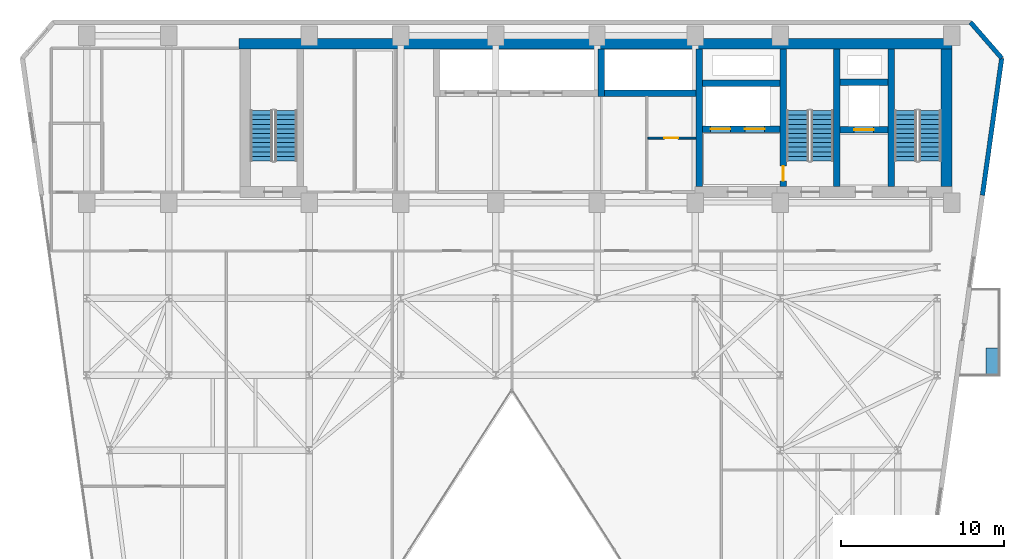
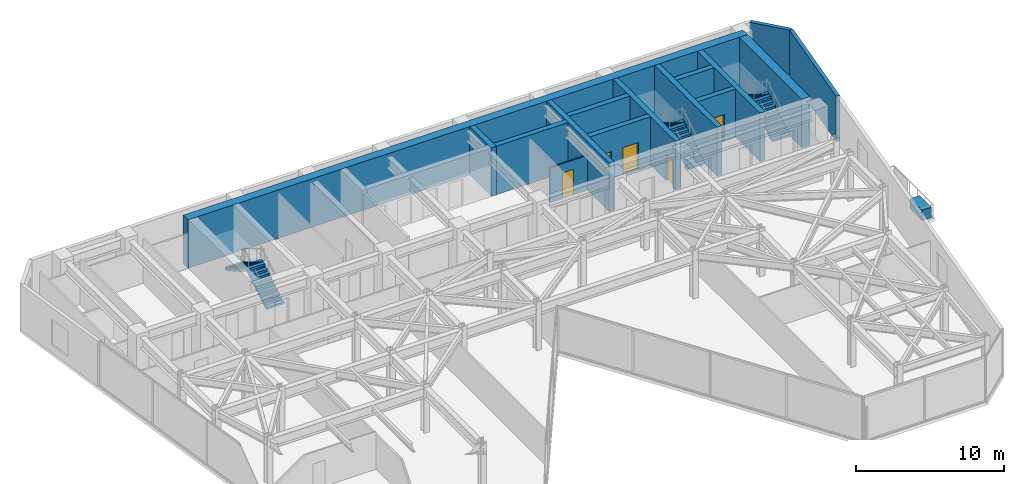
# One storey, part 23 of 26: 15 walls, 6 stair flights, 5 doors, 1 discrete accessory, 5 openings, 3 elements without a shape of their own.
"""IFC4 building model written with IfcOpenShell, lengths in metres."""

from ifc_helpers import new_model, si_unit, direction, frame, frame_2d, origin, origin_2d, place, context, subcontext, project, spatial, polyline, rectangle, outline, extrude, material, layer, layer_set, type_object, element, fill, aggregate, save


model = new_model("IFC4")

# Units and contexts
model_context = context("Model", 3, precision=1e-05, world=origin(), true_north=direction((0.0, 1.0)))
body_context = subcontext(model_context, "Body", "Model", "MODEL_VIEW")
ifc_project = project(units=[si_unit("LENGTHUNIT", "METRE"), si_unit("AREAUNIT", "SQUARE_METRE"), si_unit("VOLUMEUNIT", "CUBIC_METRE"), si_unit("PLANEANGLEUNIT", "RADIAN"), si_unit("MASSUNIT", "GRAM", prefix="KILO")], contexts=[model_context])

# Site, building, storey
site_placement = place(None, origin())
site = spatial("IfcSite", under=ifc_project, at=site_placement, CompositionType="ELEMENT")
building_placement = place(site_placement, origin())
building = spatial("IfcBuilding", under=site, at=building_placement, Name="Kravanh Interchange Tower", CompositionType="ELEMENT")
storey_placement = place(building_placement, frame((0.0, 0.0, 152.0)))
storey = spatial("IfcBuildingStorey", under=building, at=storey_placement, Name="L36", CompositionType="ELEMENT", Elevation=152.0)

# Wall, opening, door
ifc_material_1 = material(Name="Double Acoustic Gypsum Board and Mineral Wool")
ifc_layer_1 = layer(ifc_material_1, 0.1201171875)
ifc_layer_set_1 = layer_set([ifc_layer_1], Name="Acoustic Office Drywall Partition 120mm")
wall_type_1 = type_object("IfcWallType", Name="Acoustic Office Drywall Partition 120mm", PredefinedType="PARTITIONING", material=ifc_layer_set_1)
wall_1_placement = place(storey_placement, frame((47.91796875, 41.300048828125, 0.0), z_axis=(0.0, 0.0, 1.0), x_axis=(1.0, 0.0, 0.0)))
wall_1 = element("IfcWall", 1, at=wall_1_placement, inside=storey, type_object=wall_type_1, Name="L36 Interior Partition 3", PredefinedType="PARTITIONING", context=body_context, shape_type="SweptSolid", body=[
    extrude(rectangle(XDim=2.924072265625, YDim=0.1201171875, at=frame_2d((1.4619140625, 0.0))), origin(), (0.0, 0.0, 1.0), 2.864013671875),
])
opening_1_placement = place(wall_1_placement, frame((0.9912109375, 0.0, 0.0)))
opening_1 = element("IfcOpeningElement", 2, at=opening_1_placement, cuts=wall_1, Name="Opening D-85", PredefinedType="OPENING", context=body_context, shape_type="SweptSolid", body=[
    extrude(rectangle(XDim=0.85009765625, YDim=2.10009765625, at=frame_2d((0.425048828125, 1.050048828125))), frame((0.0, 0.070068359375, 0.0), z_axis=(0.0, -1.0, 0.0), x_axis=(1.0, 0.0, 0.0)), (0.0, 0.0, 1.0), 0.14013671875),
])
ifc_material_2 = material(Name="Engineered Teak Veneer Timber", Category="wood")
door_type_1 = type_object("IfcDoorType", Name="En-Suite Timber Door 850x2100", OperationType="NOTDEFINED", PredefinedType="DOOR", material=ifc_material_2)
door_1_placement = place(opening_1_placement, origin())
door_1 = element("IfcDoor", 3, at=door_1_placement, inside=storey, type_object=door_type_1, Name="L36 Core Supply Inner Door", OperationType="SINGLE_SWING_RIGHT", OverallHeight=2.10009765625, OverallWidth=0.85009765625, PredefinedType="DOOR", context=body_context, shape_type="SweptSolid", body=[
    extrude(rectangle(XDim=0.85009765625, YDim=2.10009765625, at=frame_2d((0.425048828125, 1.050048828125))), frame((0.0, 0.02490234375, 0.0), z_axis=(0.0, -1.0, 0.0), x_axis=(1.0, 0.0, 0.0)), (0.0, 0.0, 1.0), 0.050048828125),
])
fill(opening_1, door_1)

# Walls
ifc_material_3 = material(Name="Concrete C70/85", Category="concrete")
ifc_layer_2 = layer(ifc_material_3, 0.64990234375)
ifc_layer_set_2 = layer_set([ifc_layer_2], Name="Core Shear Wall Concrete C70/85 650mm")
wall_type_2 = type_object("IfcWallType", Name="Core Shear Wall Concrete C70/85 650mm", PredefinedType="SHEAR", material=ifc_layer_set_2)
wall_2_placement = place(storey_placement, frame((22.89990234375, 47.074951171875, 0.0), z_axis=(0.0, 0.0, 1.0), x_axis=(1.0, 0.0, 0.0)))
element("IfcWall", 4, at=wall_2_placement, inside=storey, type_object=wall_type_2, Name="L36 North Core Shear Wall", PredefinedType="SHEAR", context=body_context, shape_type="SweptSolid", body=[
    extrude(rectangle(XDim=43.60009765625, YDim=0.64990234375, at=frame_2d((21.800048828125, 0.0))), origin(), (0.0, 0.0, 1.0), 4.0),
])
wall_3_placement = place(storey_placement, frame((66.175048828125, 38.324951171875, 0.0), z_axis=(0.0, 0.0, 1.0), x_axis=(0.0, 1.0, 0.0)))
element("IfcWall", 5, at=wall_3_placement, inside=storey, type_object=wall_type_2, Name="L36 Stair ST1 East Shear Wall", PredefinedType="SHEAR", context=body_context, shape_type="SweptSolid", body=[
    extrude(rectangle(XDim=8.425048828125, YDim=0.64990234375, at=frame_2d((4.21240234375, 0.0))), origin(), (0.0, 0.0, 1.0), 4.0),
])
ifc_material_4 = material(Name="Concrete C80/95", Category="concrete")
ifc_layer_3 = layer(ifc_material_4, 0.39990234375)
ifc_layer_set_3 = layer_set([ifc_layer_3], Name="Core Shear Wall Concrete C80/95 400mm")
wall_type_3 = type_object("IfcWallType", Name="Core Shear Wall Concrete C80/95 400mm", PredefinedType="SHEAR", material=ifc_layer_set_3)
for number, where, z_axis, x_axis, name in (
    (6, (62.800048828125, 38.324951171875, 0.0), (0.0, 0.0, 1.0), (0.0, 1.0, 0.0), "L36 Stair ST1 West Shear Wall"),
    (7, (59.449951171875, 38.324951171875, 0.0), (0.0, 0.0, 1.0), (0.0, 1.0, 0.0), "L36 Stair ST2 East Shear Wall"),
):
    element("IfcWall", number, at=place(storey_placement, frame(where, z_axis=z_axis, x_axis=x_axis)), inside=storey, type_object=wall_type_3, Name=name, PredefinedType="SHEAR", context=body_context, shape_type="SweptSolid", body=[
        extrude(rectangle(XDim=8.425048828125, YDim=0.39990234375, at=frame_2d((4.21240234375, 0.0))), origin(), (0.0, 0.0, 1.0), 4.0),
    ])

# Wall, opening, door
wall_4_placement = place(storey_placement, frame((56.199951171875, 38.324951171875, 0.0), z_axis=(0.0, 0.0, 1.0), x_axis=(0.0, 1.0, 0.0)))
wall_4 = element("IfcWall", 8, at=wall_4_placement, inside=storey, type_object=wall_type_3, Name="L36 Stair ST2 West Shear Wall", PredefinedType="SHEAR", context=body_context, shape_type="SweptSolid", body=[
    extrude(rectangle(XDim=8.425048828125, YDim=0.39990234375, at=frame_2d((4.21240234375, 0.0))), origin(), (0.0, 0.0, 1.0), 4.0),
])
opening_2_placement = place(wall_4_placement, frame((0.35498046875, 0.0, 0.0)))
opening_2 = element("IfcOpeningElement", 9, at=opening_2_placement, cuts=wall_4, Name="Opening D-STAIR-90", PredefinedType="OPENING", context=body_context, shape_type="SweptSolid", body=[
    extrude(rectangle(XDim=0.89990234375, YDim=2.14990234375, at=frame_2d((0.449951171875, 1.074951171875))), frame((0.0, 0.2099609375, 0.0), z_axis=(0.0, -1.0, 0.0), x_axis=(1.0, 0.0, 0.0)), (0.0, 0.0, 1.0), 0.419921875),
])
ifc_material_5 = material(Name="Structural Steel S355", Category="steel")
door_type_2 = type_object("IfcDoorType", Name="Fire-Rated Stair Lobby Door 900x2150", OperationType="NOTDEFINED", PredefinedType="DOOR", material=ifc_material_5)
door_2_placement = place(opening_2_placement, origin())
door_2 = element("IfcDoor", 10, at=door_2_placement, inside=storey, type_object=door_type_2, Name="L36 Firefighting Lobby to Stair ST2 Door", OperationType="SINGLE_SWING_LEFT", OverallHeight=2.14990234375, OverallWidth=0.89990234375, PredefinedType="DOOR", context=body_context, shape_type="SweptSolid", body=[
    extrude(rectangle(XDim=0.89990234375, YDim=2.14990234375, at=frame_2d((0.449951171875, 1.074951171875))), frame((0.0, 0.02490234375, 0.0), z_axis=(0.0, -1.0, 0.0), x_axis=(1.0, 0.0, 0.0)), (0.0, 0.0, 1.0), 0.050048828125),
])
fill(opening_2, door_2)

wall_5_placement = place(storey_placement, frame((59.64990234375, 41.800048828125, 0.0), z_axis=(0.0, 0.0, 1.0), x_axis=(1.0, 0.0, 0.0)))
wall_5 = element("IfcWall", 11, at=wall_5_placement, inside=storey, type_object=wall_type_3, Name="L36 Service Lift Shaft South Wall", PredefinedType="SHEAR", context=body_context, shape_type="SweptSolid", body=[
    extrude(rectangle(XDim=2.9501953125, YDim=0.39990234375, at=frame_2d((1.47509765625, 0.0))), origin(), (0.0, 0.0, 1.0), 4.0),
])
opening_3_placement = place(wall_5_placement, frame((0.8701171875, 0.0, 0.0)))
opening_3 = element("IfcOpeningElement", 12, at=opening_3_placement, cuts=wall_5, Name="Opening LD02", PredefinedType="OPENING", context=body_context, shape_type="SweptSolid", body=[
    extrude(rectangle(XDim=1.199951171875, YDim=2.199951171875, at=frame_2d((0.60009765625, 1.10009765625))), frame((0.0, 0.2099609375, 0.0), z_axis=(0.0, -1.0, 0.0), x_axis=(1.0, 0.0, 0.0)), (0.0, 0.0, 1.0), 0.419921875),
])
ifc_material_6 = material(Name="Stainless Steel 316", Category="steel")
door_type_3 = type_object("IfcDoorType", Name="Fire and Service Lift Sliding Landing Door 1200x2200", OperationType="DOUBLE_DOOR_SLIDING", PredefinedType="DOOR", material=ifc_material_6)
door_3_placement = place(opening_3_placement, origin())
door_3 = element("IfcDoor", 13, at=door_3_placement, inside=storey, type_object=door_type_3, Name="L36 Lift LS-01 Landing Door", OperationType="DOUBLE_DOOR_SLIDING", OverallHeight=2.199951171875, OverallWidth=1.199951171875, PredefinedType="DOOR", context=body_context, shape_type="SweptSolid", body=[
    extrude(rectangle(XDim=1.199951171875, YDim=2.199951171875, at=frame_2d((0.60009765625, 1.10009765625))), frame((0.0, 0.02490234375, 0.0), z_axis=(0.0, -1.0, 0.0), x_axis=(1.0, 0.0, 0.0)), (0.0, 0.0, 1.0), 0.050048828125),
])
fill(opening_3, door_3)

# Wall
wall_6_placement = place(storey_placement, frame((59.64990234375, 44.699951171875, 0.0), z_axis=(0.0, 0.0, 1.0), x_axis=(1.0, 0.0, 0.0)))
element("IfcWall", 14, at=wall_6_placement, inside=storey, type_object=wall_type_3, Name="L36 Service Lift Shaft North Wall", PredefinedType="SHEAR", context=body_context, shape_type="SweptSolid", body=[
    extrude(rectangle(XDim=2.9501953125, YDim=0.39990234375, at=frame_2d((1.47509765625, 0.0))), origin(), (0.0, 0.0, 1.0), 4.0),
])

# Wall, openings, doors
wall_7_placement = place(storey_placement, frame((51.25, 41.85009765625, 0.0), z_axis=(0.0, 0.0, 1.0), x_axis=(1.0, 0.0, 0.0)))
wall_7 = element("IfcWall", 15, at=wall_7_placement, inside=storey, type_object=wall_type_3, Name="L36 Fire Lift Shaft South Wall", PredefinedType="SHEAR", context=body_context, shape_type="SweptSolid", body=[
    extrude(rectangle(XDim=4.75, YDim=0.39990234375, at=frame_2d((2.375, 0.0))), origin(), (0.0, 0.0, 1.0), 4.0),
])
opening_4_placement = place(wall_7_placement, frame((0.5, 0.0, 0.0)))
opening_4 = element("IfcOpeningElement", 16, at=opening_4_placement, cuts=wall_7, Name="Opening LD02", PredefinedType="OPENING", context=body_context, shape_type="SweptSolid", body=[
    extrude(rectangle(XDim=1.199951171875, YDim=2.199951171875, at=frame_2d((0.60009765625, 1.10009765625))), frame((0.0, 0.2099609375, 0.0), z_axis=(0.0, -1.0, 0.0), x_axis=(1.0, 0.0, 0.0)), (0.0, 0.0, 1.0), 0.419921875),
])
opening_5_placement = place(wall_7_placement, frame((2.60009765625, 0.0, 0.0)))
opening_5 = element("IfcOpeningElement", 17, at=opening_5_placement, cuts=wall_7, Name="Opening LD02", PredefinedType="OPENING", context=body_context, shape_type="SweptSolid", body=[
    extrude(rectangle(XDim=1.199951171875, YDim=2.199951171875, at=frame_2d((0.60009765625, 1.10009765625))), frame((0.0, 0.2099609375, 0.0), z_axis=(0.0, -1.0, 0.0), x_axis=(1.0, 0.0, 0.0)), (0.0, 0.0, 1.0), 0.419921875),
])
door_4_placement = place(opening_4_placement, origin())
door_4 = element("IfcDoor", 18, at=door_4_placement, inside=storey, type_object=door_type_3, Name="L36 Lift FSAE-01 Landing Door", OperationType="DOUBLE_DOOR_SLIDING", OverallHeight=2.199951171875, OverallWidth=1.199951171875, PredefinedType="DOOR", context=body_context, shape_type="SweptSolid", body=[
    extrude(rectangle(XDim=1.199951171875, YDim=2.199951171875, at=frame_2d((0.60009765625, 1.10009765625))), frame((0.0, 0.02490234375, 0.0), z_axis=(0.0, -1.0, 0.0), x_axis=(1.0, 0.0, 0.0)), (0.0, 0.0, 1.0), 0.050048828125),
])
fill(opening_4, door_4)
door_5_placement = place(opening_5_placement, origin())
door_5 = element("IfcDoor", 19, at=door_5_placement, inside=storey, type_object=door_type_3, Name="L36 Lift FSAE-02 Landing Door", OperationType="DOUBLE_DOOR_SLIDING", OverallHeight=2.199951171875, OverallWidth=1.199951171875, PredefinedType="DOOR", context=body_context, shape_type="SweptSolid", body=[
    extrude(rectangle(XDim=1.199951171875, YDim=2.199951171875, at=frame_2d((0.60009765625, 1.10009765625))), frame((0.0, 0.02490234375, 0.0), z_axis=(0.0, -1.0, 0.0), x_axis=(1.0, 0.0, 0.0)), (0.0, 0.0, 1.0), 0.050048828125),
])
fill(opening_5, door_5)

# Walls
wall_8_placement = place(storey_placement, frame((51.25, 44.64990234375, 0.0), z_axis=(0.0, 0.0, 1.0), x_axis=(1.0, 0.0, 0.0)))
element("IfcWall", 20, at=wall_8_placement, inside=storey, type_object=wall_type_3, Name="L36 Fire Lift Shaft North Wall", PredefinedType="SHEAR", context=body_context, shape_type="SweptSolid", body=[
    extrude(rectangle(XDim=4.75, YDim=0.39990234375, at=frame_2d((2.375, 0.0))), origin(), (0.0, 0.0, 1.0), 4.0),
])
wall_9_placement = place(storey_placement, frame((51.050048828125, 38.324951171875, 0.0), z_axis=(0.0, 0.0, 1.0), x_axis=(0.0, 1.0, 0.0)))
element("IfcWall", 21, at=wall_9_placement, inside=storey, type_object=wall_type_3, Name="L36 Firefighting Lobby West Wall", PredefinedType="SHEAR", context=body_context, shape_type="SweptSolid", body=[
    extrude(rectangle(XDim=8.425048828125, YDim=0.39990234375, at=frame_2d((4.21240234375, 0.0))), origin(), (0.0, 0.0, 1.0), 4.0),
])
wall_10_placement = place(storey_placement, frame((45.25, 44.050048828125, 0.0), z_axis=(0.0, 0.0, 1.0), x_axis=(1.0, 0.0, 0.0)))
element("IfcWall", 22, at=wall_10_placement, inside=storey, type_object=wall_type_3, Name="L36 High-Rise Lift Shaft South Wall", PredefinedType="SHEAR", context=body_context, shape_type="SweptSolid", body=[
    extrude(rectangle(XDim=5.60009765625, YDim=0.39990234375, at=frame_2d((2.800048828125, 0.0))), origin(), (0.0, 0.0, 1.0), 4.0),
])
wall_11_placement = place(storey_placement, frame((45.050048828125, 43.85009765625, 0.0), z_axis=(0.0, 0.0, 1.0), x_axis=(0.0, 1.0, 0.0)))
element("IfcWall", 23, at=wall_11_placement, inside=storey, type_object=wall_type_3, Name="L36 High-Rise Lift Shaft West Wall", PredefinedType="SHEAR", context=body_context, shape_type="SweptSolid", body=[
    extrude(rectangle(XDim=2.89990234375, YDim=0.39990234375, at=frame_2d((1.449951171875, 0.0))), origin(), (0.0, 0.0, 1.0), 4.0),
])
ifc_material_7 = material(Name="Insulated Precast Concrete C40/50 with Bronze Cladding", Category="concrete")
ifc_layer_4 = layer(ifc_material_7, 0.280029296875)
ifc_layer_set_4 = layer_set([ifc_layer_4], Name="Exterior Insulated Concrete C40/50 Bronze Spandrel Wall 280mm")
wall_type_4 = type_object("IfcWallType", Name="Exterior Insulated Concrete C40/50 Bronze Spandrel Wall 280mm", PredefinedType="STANDARD", material=ifc_layer_set_4)
wall_12_placement = place(storey_placement, frame((67.645263671875, 48.3798828125, 0.0), z_axis=(0.0, 0.0, 1.0), x_axis=(0.656070644076, -0.754699483226, 0.0)))
element("IfcWall", 24, at=wall_12_placement, inside=storey, type_object=wall_type_4, Name="L36 Exterior Wall 4", PredefinedType="STANDARD", context=body_context, shape_type="SweptSolid", body=[
    extrude(rectangle(XDim=2.908447265625, YDim=0.280029296875, at=frame_2d((1.4541015625, 0.0))), origin(), (0.0, 0.0, 1.0), 3.719970703125),
])
wall_13_placement = place(storey_placement, frame((69.553466796875, 46.184814453125, 0.0), z_axis=(0.0, 0.0, 1.0), x_axis=(-0.139180610108, -0.990267013371, 0.0)))
element("IfcWall", 25, at=wall_13_placement, inside=storey, type_object=wall_type_4, Name="L36 Exterior Wall 5", PredefinedType="STANDARD", context=body_context, shape_type="SweptSolid", body=[
    extrude(rectangle(XDim=8.46728515625, YDim=0.280029296875, at=frame_2d((4.233642578125, 0.0))), origin(), (0.0, 0.0, 1.0), 3.719970703125),
])

# Stair, stair flights
ifc_material_8 = material(Name="Concrete C50/60", Category="concrete")
stair_type = type_object("IfcStairType", Name="Core Fire Exit Dogleg Stair Concrete C50/60", PredefinedType="HALF_TURN_STAIR", material=ifc_material_8)
stair_1_placement = place(storey_placement, origin())
stair_1 = element("IfcStair", 26, at=stair_1_placement, inside=storey, type_object=stair_type, Name="L36 Exit Stair ST1", PredefinedType="HALF_TURN_STAIR")
ifc_material_9 = material(Name="Precast Concrete C50/60", Category="concrete")
ifc_layer_5 = layer(ifc_material_9, 0.199951171875)
ifc_layer_set_5 = layer_set([ifc_layer_5], Name="Precast Concrete C50/60 Stair Flight 1350mm")
stair_flight_type = type_object("IfcStairFlightType", Name="Precast Concrete C50/60 Stair Flight 1350mm", PredefinedType="STRAIGHT", material=ifc_layer_set_5)
stair_flight_1_placement = place(storey_placement, frame((65.175048828125, 39.89990234375, 0.0), z_axis=(0.0, 0.0, 1.0), x_axis=(0.0, 1.0, 0.0)))
stair_flight_1 = element("IfcStairFlight", 27, at=stair_flight_1_placement, type_object=stair_flight_type, Name="ST1 flight 1", NumberOfRisers=12, NumberOfTreads=11, PredefinedType="STRAIGHT", RiserHeight=0.166666667, TreadLength=0.28, context=body_context, shape_type="SweptSolid", body=[
    extrude(outline(polyline([(0.0, 0.0), (0.0, 0.166748046875), (0.280029296875, 0.166748046875), (0.280029296875, 0.333251953125), (0.56005859375, 0.333251953125), (0.56005859375, 0.5), (0.840087890625, 0.5), (0.840087890625, 0.666748046875), (1.1201171875, 0.666748046875), (1.1201171875, 0.833251953125), (1.39990234375, 0.833251953125), (1.39990234375, 1.0), (1.679931640625, 1.0), (1.679931640625, 1.166748046875), (1.9599609375, 1.166748046875), (1.9599609375, 1.333251953125), (2.239990234375, 1.333251953125), (2.239990234375, 1.5), (2.52001953125, 1.5), (2.52001953125, 1.666748046875), (2.800048828125, 1.666748046875), (2.800048828125, 1.833251953125), (3.080078125, 1.833251953125), (3.080078125, 2.0), (3.080078125, 1.658935546875), (0.29296875, 0.0), (0.0, 0.0)])), frame((0.0, 0.675048828125, 0.0), z_axis=(0.0, -1.0, 0.0), x_axis=(1.0, 0.0, 0.0)), (0.0, 0.0, 1.0), 1.35009765625),
])
stair_flight_2_placement = place(storey_placement, frame((63.675048828125, 42.97998046875, 2.0), z_axis=(0.0, 0.0, 1.0), x_axis=(0.0, -1.0, 0.0)))
stair_flight_2 = element("IfcStairFlight", 28, at=stair_flight_2_placement, type_object=stair_flight_type, Name="ST1 flight 2", NumberOfRisers=12, NumberOfTreads=11, PredefinedType="STRAIGHT", RiserHeight=0.166666667, TreadLength=0.28, context=body_context, shape_type="SweptSolid", body=[
    extrude(outline(polyline([(0.0, 0.0), (0.0, 0.166748046875), (0.280029296875, 0.166748046875), (0.280029296875, 0.333251953125), (0.56005859375, 0.333251953125), (0.56005859375, 0.5), (0.840087890625, 0.5), (0.840087890625, 0.666748046875), (1.1201171875, 0.666748046875), (1.1201171875, 0.833251953125), (1.39990234375, 0.833251953125), (1.39990234375, 1.0), (1.679931640625, 1.0), (1.679931640625, 1.166748046875), (1.9599609375, 1.166748046875), (1.9599609375, 1.333251953125), (2.239990234375, 1.333251953125), (2.239990234375, 1.5), (2.52001953125, 1.5), (2.52001953125, 1.666748046875), (2.800048828125, 1.666748046875), (2.800048828125, 1.833251953125), (3.080078125, 1.833251953125), (3.080078125, 2.0), (3.080078125, 1.658935546875), (0.29296875, 0.0), (0.0, 0.0)])), frame((0.0, 0.675048828125, 0.0), z_axis=(0.0, -1.0, 0.0), x_axis=(1.0, 0.0, 0.0)), (0.0, 0.0, 1.0), 1.35009765625),
])
aggregate(stair_1, [stair_flight_1, stair_flight_2])

stair_2_placement = place(storey_placement, origin())
stair_2 = element("IfcStair", 29, at=stair_2_placement, inside=storey, type_object=stair_type, Name="L36 Exit Stair ST2", PredefinedType="HALF_TURN_STAIR")
stair_flight_3_placement = place(storey_placement, frame((58.574951171875, 39.89990234375, 0.0), z_axis=(0.0, 0.0, 1.0), x_axis=(0.0, 1.0, 0.0)))
stair_flight_3 = element("IfcStairFlight", 30, at=stair_flight_3_placement, type_object=stair_flight_type, Name="ST2 flight 1", NumberOfRisers=12, NumberOfTreads=11, PredefinedType="STRAIGHT", RiserHeight=0.166666667, TreadLength=0.28, context=body_context, shape_type="SweptSolid", body=[
    extrude(outline(polyline([(0.0, 0.0), (0.0, 0.166748046875), (0.280029296875, 0.166748046875), (0.280029296875, 0.333251953125), (0.56005859375, 0.333251953125), (0.56005859375, 0.5), (0.840087890625, 0.5), (0.840087890625, 0.666748046875), (1.1201171875, 0.666748046875), (1.1201171875, 0.833251953125), (1.39990234375, 0.833251953125), (1.39990234375, 1.0), (1.679931640625, 1.0), (1.679931640625, 1.166748046875), (1.9599609375, 1.166748046875), (1.9599609375, 1.333251953125), (2.239990234375, 1.333251953125), (2.239990234375, 1.5), (2.52001953125, 1.5), (2.52001953125, 1.666748046875), (2.800048828125, 1.666748046875), (2.800048828125, 1.833251953125), (3.080078125, 1.833251953125), (3.080078125, 2.0), (3.080078125, 1.658935546875), (0.29296875, 0.0), (0.0, 0.0)])), frame((0.0, 0.675048828125, 0.0), z_axis=(0.0, -1.0, 0.0), x_axis=(1.0, 0.0, 0.0)), (0.0, 0.0, 1.0), 1.35009765625),
])
stair_flight_4_placement = place(storey_placement, frame((57.074951171875, 42.97998046875, 2.0), z_axis=(0.0, 0.0, 1.0), x_axis=(0.0, -1.0, 0.0)))
stair_flight_4 = element("IfcStairFlight", 31, at=stair_flight_4_placement, type_object=stair_flight_type, Name="ST2 flight 2", NumberOfRisers=12, NumberOfTreads=11, PredefinedType="STRAIGHT", RiserHeight=0.166666667, TreadLength=0.28, context=body_context, shape_type="SweptSolid", body=[
    extrude(outline(polyline([(0.0, 0.0), (0.0, 0.166748046875), (0.280029296875, 0.166748046875), (0.280029296875, 0.333251953125), (0.56005859375, 0.333251953125), (0.56005859375, 0.5), (0.840087890625, 0.5), (0.840087890625, 0.666748046875), (1.1201171875, 0.666748046875), (1.1201171875, 0.833251953125), (1.39990234375, 0.833251953125), (1.39990234375, 1.0), (1.679931640625, 1.0), (1.679931640625, 1.166748046875), (1.9599609375, 1.166748046875), (1.9599609375, 1.333251953125), (2.239990234375, 1.333251953125), (2.239990234375, 1.5), (2.52001953125, 1.5), (2.52001953125, 1.666748046875), (2.800048828125, 1.666748046875), (2.800048828125, 1.833251953125), (3.080078125, 1.833251953125), (3.080078125, 2.0), (3.080078125, 1.658935546875), (0.29296875, 0.0), (0.0, 0.0)])), frame((0.0, 0.675048828125, 0.0), z_axis=(0.0, -1.0, 0.0), x_axis=(1.0, 0.0, 0.0)), (0.0, 0.0, 1.0), 1.35009765625),
])
aggregate(stair_2, [stair_flight_3, stair_flight_4])

stair_3_placement = place(storey_placement, origin())
stair_3 = element("IfcStair", 32, at=stair_3_placement, inside=storey, type_object=stair_type, Name="L36 Exit Stair ST3", PredefinedType="HALF_TURN_STAIR")
stair_flight_5_placement = place(storey_placement, frame((25.77490234375, 39.89990234375, 0.0), z_axis=(0.0, 0.0, 1.0), x_axis=(0.0, 1.0, 0.0)))
stair_flight_5 = element("IfcStairFlight", 33, at=stair_flight_5_placement, type_object=stair_flight_type, Name="ST3 flight 1", NumberOfRisers=12, NumberOfTreads=11, PredefinedType="STRAIGHT", RiserHeight=0.166666667, TreadLength=0.28, context=body_context, shape_type="SweptSolid", body=[
    extrude(outline(polyline([(0.0, 0.0), (0.0, 0.166748046875), (0.280029296875, 0.166748046875), (0.280029296875, 0.333251953125), (0.56005859375, 0.333251953125), (0.56005859375, 0.5), (0.840087890625, 0.5), (0.840087890625, 0.666748046875), (1.1201171875, 0.666748046875), (1.1201171875, 0.833251953125), (1.39990234375, 0.833251953125), (1.39990234375, 1.0), (1.679931640625, 1.0), (1.679931640625, 1.166748046875), (1.9599609375, 1.166748046875), (1.9599609375, 1.333251953125), (2.239990234375, 1.333251953125), (2.239990234375, 1.5), (2.52001953125, 1.5), (2.52001953125, 1.666748046875), (2.800048828125, 1.666748046875), (2.800048828125, 1.833251953125), (3.080078125, 1.833251953125), (3.080078125, 2.0), (3.080078125, 1.658935546875), (0.29296875, 0.0), (0.0, 0.0)])), frame((0.0, 0.675048828125, 0.0), z_axis=(0.0, -1.0, 0.0), x_axis=(1.0, 0.0, 0.0)), (0.0, 0.0, 1.0), 1.35009765625),
])
stair_flight_6_placement = place(storey_placement, frame((24.27490234375, 42.97998046875, 2.0), z_axis=(0.0, 0.0, 1.0), x_axis=(0.0, -1.0, 0.0)))
stair_flight_6 = element("IfcStairFlight", 34, at=stair_flight_6_placement, type_object=stair_flight_type, Name="ST3 flight 2", NumberOfRisers=12, NumberOfTreads=11, PredefinedType="STRAIGHT", RiserHeight=0.166666667, TreadLength=0.28, context=body_context, shape_type="SweptSolid", body=[
    extrude(outline(polyline([(0.0, 0.0), (0.0, 0.166748046875), (0.280029296875, 0.166748046875), (0.280029296875, 0.333251953125), (0.56005859375, 0.333251953125), (0.56005859375, 0.5), (0.840087890625, 0.5), (0.840087890625, 0.666748046875), (1.1201171875, 0.666748046875), (1.1201171875, 0.833251953125), (1.39990234375, 0.833251953125), (1.39990234375, 1.0), (1.679931640625, 1.0), (1.679931640625, 1.166748046875), (1.9599609375, 1.166748046875), (1.9599609375, 1.333251953125), (2.239990234375, 1.333251953125), (2.239990234375, 1.5), (2.52001953125, 1.5), (2.52001953125, 1.666748046875), (2.800048828125, 1.666748046875), (2.800048828125, 1.833251953125), (3.080078125, 1.833251953125), (3.080078125, 2.0), (3.080078125, 1.658935546875), (0.29296875, 0.0), (0.0, 0.0)])), frame((0.0, 0.675048828125, 0.0), z_axis=(0.0, -1.0, 0.0), x_axis=(1.0, 0.0, 0.0)), (0.0, 0.0, 1.0), 1.35009765625),
])
aggregate(stair_3, [stair_flight_5, stair_flight_6])

# Discrete accessory
ifc_material_10 = material(Name="Architectural GRC Concrete C40/50 with Root Barrier", Category="concrete")
discrete_accessory_type = type_object("IfcDiscreteAccessoryType", Name="Structural Balcony Tree Planter Box Concrete C40/50 1600x750x850", PredefinedType="USERDEFINED", material=ifc_material_10)
discrete_accessory_placement = place(storey_placement, frame((68.969970703125, 27.659912109375, 0.0), z_axis=(0.0, 0.0, 1.0), x_axis=(1.0, 0.0, 0.0)))
element("IfcDiscreteAccessory", 35, at=discrete_accessory_placement, inside=storey, type_object=discrete_accessory_type, Name="L36 E Balcony TREE PLANTER", ObjectType="PLANTER", PredefinedType="USERDEFINED", context=body_context, shape_type="SweptSolid", body=[
    extrude(rectangle(XDim=0.75, YDim=1.60009765625, at=origin_2d()), origin(), (0.0, 0.0, 1.0), 0.85009765625),
])

save(model, "model.ifc")
